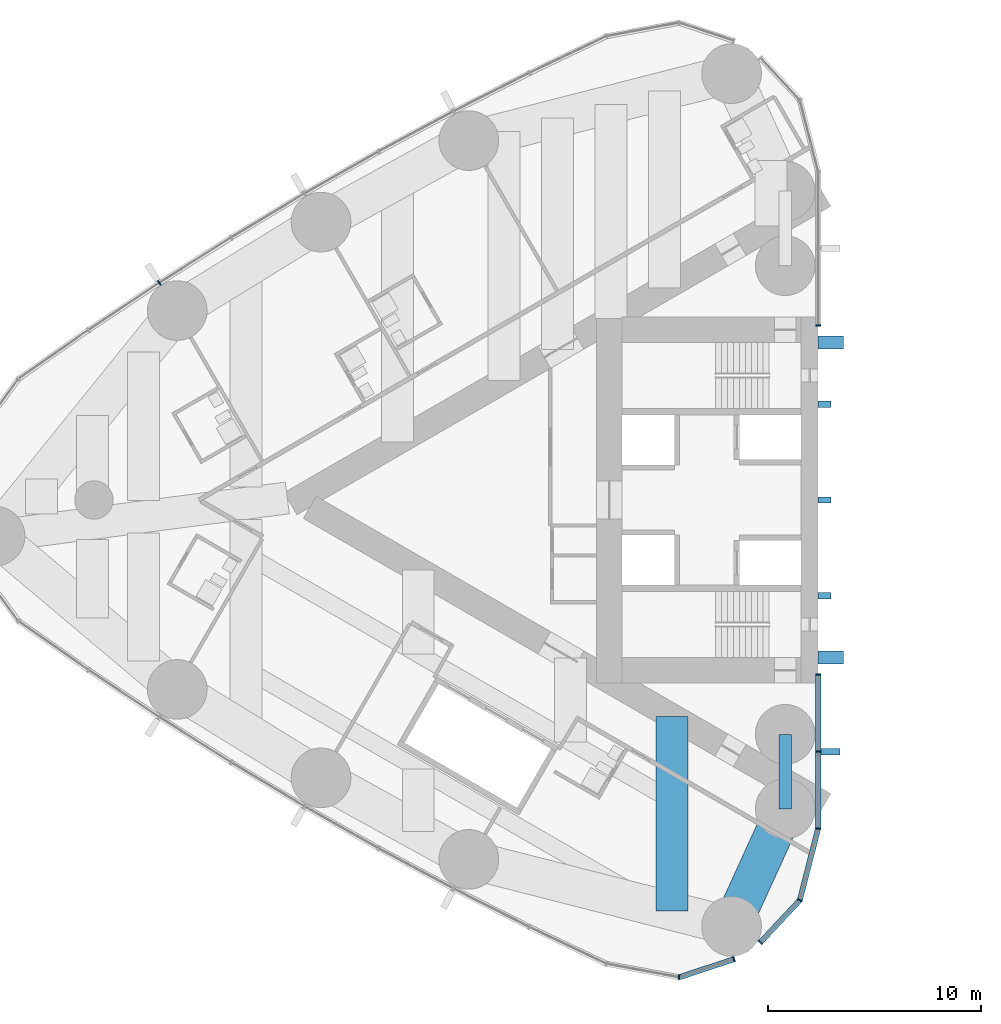
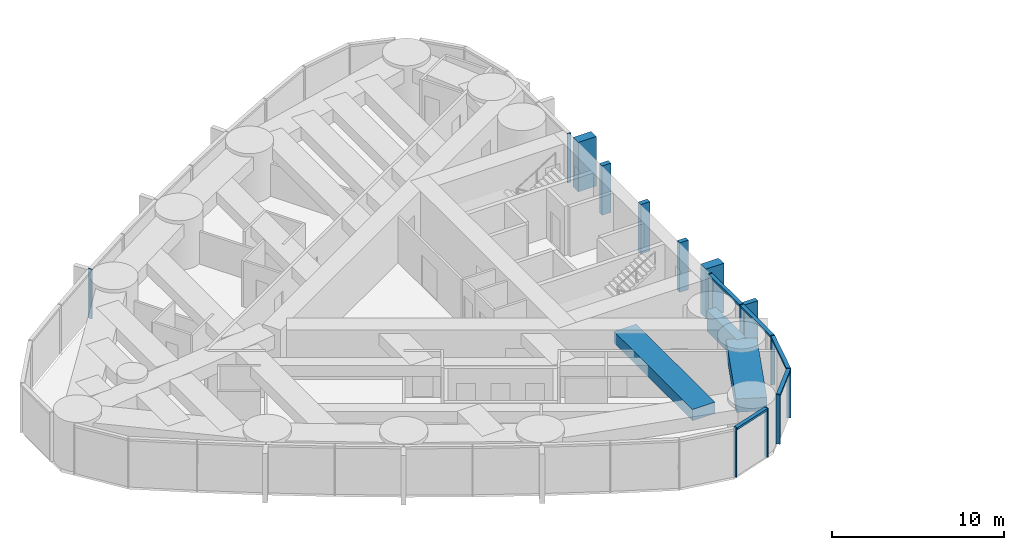
# One storey, part 4 of 19: 20 members, 3 beams, 4 elements without a shape of their own.
"""IFC4 building model written with IfcOpenShell, lengths in metres."""

from ifc_helpers import new_model, si_unit, direction, frame, origin, origin_2d, place, context, subcontext, project, spatial, rectangle, hollow_rectangle, extrude, material, material_profile, profile_set, type_object, element, aggregate, save


model = new_model("IFC4")

# Units and contexts
model_context = context("Model", 3, precision=1e-05, world=origin(), true_north=direction((0.0, 1.0)))
body_context = subcontext(model_context, "Body", "Model", "MODEL_VIEW")
ifc_project = project(units=[si_unit("LENGTHUNIT", "METRE"), si_unit("AREAUNIT", "SQUARE_METRE"), si_unit("VOLUMEUNIT", "CUBIC_METRE"), si_unit("PLANEANGLEUNIT", "RADIAN"), si_unit("MASSUNIT", "GRAM", prefix="KILO")], contexts=[model_context])

# Site, building, storey
site_placement = place(None, origin())
site = spatial("IfcSite", under=ifc_project, at=site_placement, CompositionType="ELEMENT")
building_placement = place(site_placement, origin())
building = spatial("IfcBuilding", under=site, at=building_placement, Name="Lancet Gate Hotel", CompositionType="ELEMENT")
storey_placement = place(building_placement, frame((0.0, 0.0, 177.300048828125)))
storey = spatial("IfcBuildingStorey", under=building, at=storey_placement, Name="L47", CompositionType="ELEMENT", Elevation=177.300048828125)

# Curtain wall, member
ifc_material_1 = material(Name="Aluminium curtain wall", Category="aluminium")
curtain_wall_type = type_object("IfcCurtainWallType", Name="Tower unitised curtain wall", PredefinedType="USERDEFINED", material=ifc_material_1)
curtain_wall_1_placement = place(storey_placement, origin())
curtain_wall_1 = element("IfcCurtainWall", 1, at=curtain_wall_1_placement, inside=storey, type_object=curtain_wall_type, Name="T1 L47 curtain wall 1", ObjectType="UNITISED CURTAIN WALL", PredefinedType="USERDEFINED")
ifc_material_2 = material(Name="Aluminium mullion", Category="aluminium")
ifc_material_profile_1 = material_profile(ifc_material_2, rectangle(XDim=0.06494140625, YDim=0.25, at=origin_2d()), Name="MULLION 65x250")
ifc_profile_set_1 = profile_set([ifc_material_profile_1], Name="Aluminium mullion")
member_type_1 = type_object("IfcMemberType", Name="Aluminium mullion 65x250", PredefinedType="MULLION", material=ifc_profile_set_1)
member_1_placement = place(storey_placement, frame((-27.5, 8.199951171875, 0.0), z_axis=(0.0, 0.0, 1.0), x_axis=(0.0, 1.0, 0.0)))
member_1 = element("IfcMember", 2, at=member_1_placement, type_object=member_type_1, Name="T1 L47 curtain wall 1 mullion 1", PredefinedType="MULLION", context=body_context, shape_type="SweptSolid", body=[
    extrude(rectangle(XDim=0.06494140625, YDim=0.25, at=origin_2d()), origin(), (0.0, 0.0, 1.0), 3.5),
])
aggregate(curtain_wall_1, [member_1])

curtain_wall_2_placement = place(storey_placement, origin())
curtain_wall_2 = element("IfcCurtainWall", 3, at=curtain_wall_2_placement, inside=storey, type_object=curtain_wall_type, Name="T1 L47 curtain wall 2", ObjectType="UNITISED CURTAIN WALL", PredefinedType="USERDEFINED")
member_2_placement = place(storey_placement, frame((-58.43212890625, 10.194091796875, 0.0), z_axis=(0.0, 0.0, 1.0), x_axis=(-0.839331119324, -0.54362052218, 0.0)))
member_2 = element("IfcMember", 4, at=member_2_placement, type_object=member_type_1, Name="T1 L47 curtain wall 2 mullion 9", PredefinedType="MULLION", context=body_context, shape_type="SweptSolid", body=[
    extrude(rectangle(XDim=0.06494140625, YDim=0.25, at=origin_2d()), origin(), (0.0, 0.0, 1.0), 3.5),
])
aggregate(curtain_wall_2, [member_2])

# Curtain wall, members
curtain_wall_3_placement = place(storey_placement, origin())
curtain_wall_3 = element("IfcCurtainWall", 5, at=curtain_wall_3_placement, inside=storey, type_object=curtain_wall_type, Name="T1 L47 curtain wall 3", ObjectType="UNITISED CURTAIN WALL", PredefinedType="USERDEFINED")
member_3_placement = place(storey_placement, frame((-34.02783203125, -22.407470703125, 0.0), z_axis=(0.0, 0.0, 1.0), x_axis=(0.999350473622, 0.036036521361, 0.0)))
member_3 = element("IfcMember", 6, at=member_3_placement, type_object=member_type_1, Name="T1 L47 curtain wall 3 mullion 11", PredefinedType="MULLION", context=body_context, shape_type="SweptSolid", body=[
    extrude(rectangle(XDim=0.06494140625, YDim=0.25, at=origin_2d()), origin(), (0.0, 0.0, 1.0), 3.5),
])
member_4_placement = place(storey_placement, frame((-31.45263671875, -21.5595703125, 0.0), z_axis=(0.0, 0.0, 1.0), x_axis=(0.949848055084, 0.312711803827, 0.0)))
member_4 = element("IfcMember", 7, at=member_4_placement, type_object=member_type_1, Name="T1 L47 curtain wall 3 mullion 12", PredefinedType="MULLION", context=body_context, shape_type="SweptSolid", body=[
    extrude(rectangle(XDim=0.06494140625, YDim=0.25, at=origin_2d()), origin(), (0.0, 0.0, 1.0), 3.5),
])

curtain_wall_4_placement = place(storey_placement, origin())
curtain_wall_4 = element("IfcCurtainWall", 8, at=curtain_wall_4_placement, inside=storey, type_object=curtain_wall_type, Name="T1 L47 curtain wall 4", ObjectType="UNITISED CURTAIN WALL", PredefinedType="USERDEFINED")
member_5_placement = place(storey_placement, frame((-30.210693359375, -20.765625, 0.0), z_axis=(0.0, 0.0, 1.0), x_axis=(0.682844962172, 0.730563315282, 0.0)))
member_5 = element("IfcMember", 9, at=member_5_placement, type_object=member_type_1, Name="T1 L47 curtain wall 4 mullion 1", PredefinedType="MULLION", context=body_context, shape_type="SweptSolid", body=[
    extrude(rectangle(XDim=0.06494140625, YDim=0.25, at=origin_2d()), origin(), (0.0, 0.0, 1.0), 3.5),
])
member_6_placement = place(storey_placement, frame((-28.360595703125, -18.7861328125, 0.0), z_axis=(0.0, 0.0, 1.0), x_axis=(0.452507601198, 0.891760545695, 0.0)))
member_6 = element("IfcMember", 10, at=member_6_placement, type_object=member_type_1, Name="T1 L47 curtain wall 4 mullion 2", PredefinedType="MULLION", context=body_context, shape_type="SweptSolid", body=[
    extrude(rectangle(XDim=0.06494140625, YDim=0.25, at=origin_2d()), origin(), (0.0, 0.0, 1.0), 3.5),
])
member_7_placement = place(storey_placement, frame((-27.5, -15.42333984375, 0.0), z_axis=(0.0, 0.0, 1.0), x_axis=(0.122467472845, 0.992472527627, 0.0)))
member_7 = element("IfcMember", 11, at=member_7_placement, type_object=member_type_1, Name="T1 L47 curtain wall 4 mullion 3", PredefinedType="MULLION", context=body_context, shape_type="SweptSolid", body=[
    extrude(rectangle(XDim=0.06494140625, YDim=0.25, at=origin_2d()), origin(), (0.0, 0.0, 1.0), 3.5),
])
member_8_placement = place(storey_placement, frame((-27.5, -11.811767578125, 0.0), z_axis=(0.0, 0.0, 1.0), x_axis=(0.0, 1.0, 0.0)))
member_8 = element("IfcMember", 12, at=member_8_placement, type_object=member_type_1, Name="T1 L47 curtain wall 4 mullion 4", PredefinedType="MULLION", context=body_context, shape_type="SweptSolid", body=[
    extrude(rectangle(XDim=0.06494140625, YDim=0.25, at=origin_2d()), origin(), (0.0, 0.0, 1.0), 3.5),
])
member_9_placement = place(storey_placement, frame((-27.5, -8.199951171875, 0.0), z_axis=(0.0, 0.0, 1.0), x_axis=(0.0, 1.0, 0.0)))
member_9 = element("IfcMember", 13, at=member_9_placement, type_object=member_type_1, Name="T1 L47 curtain wall 4 mullion 5", PredefinedType="MULLION", context=body_context, shape_type="SweptSolid", body=[
    extrude(rectangle(XDim=0.06494140625, YDim=0.25, at=origin_2d()), origin(), (0.0, 0.0, 1.0), 3.5),
])

# Member
ifc_material_3 = material(Name="Aluminium transom", Category="aluminium")
ifc_material_profile_2 = material_profile(ifc_material_3, rectangle(XDim=0.25, YDim=0.14990234375, at=origin_2d()), Name="TRANSOM 250x150")
ifc_profile_set_2 = profile_set([ifc_material_profile_2], Name="Aluminium transom")
member_type_2 = type_object("IfcMemberType", Name="Aluminium transom 250x150", PredefinedType="USERDEFINED", material=ifc_profile_set_2)
member_10_placement = place(storey_placement, frame((-33.9970703125, -22.397216796875, 3.425048828125), z_axis=(0.949857661259, 0.312682623993, 0.0), x_axis=(-0.312682623993, 0.949857661259, 0.0)))
member_10 = element("IfcMember", 14, at=member_10_placement, type_object=member_type_2, Name="T1 L47 curtain wall 3 transom 11", ObjectType="TRANSOM", PredefinedType="USERDEFINED", context=body_context, shape_type="SweptSolid", body=[
    extrude(rectangle(XDim=0.25, YDim=0.14990234375, at=origin_2d()), origin(), (0.0, 0.0, 1.0), 2.64599609375),
])

aggregate(curtain_wall_3, [member_3, member_4, member_10])

member_11_placement = place(storey_placement, frame((-30.188720703125, -20.741943359375, 3.425048828125), z_axis=(0.682841037959, 0.730566983157, 0.0), x_axis=(-0.730566983157, 0.682841037959, 0.0)))
member_11 = element("IfcMember", 15, at=member_11_placement, type_object=member_type_2, Name="T1 L47 curtain wall 4 transom 1", ObjectType="TRANSOM", PredefinedType="USERDEFINED", context=body_context, shape_type="SweptSolid", body=[
    extrude(rectangle(XDim=0.25, YDim=0.14990234375, at=origin_2d()), origin(), (0.0, 0.0, 1.0), 2.644775390625),
])

member_12_placement = place(storey_placement, frame((-28.3525390625, -18.754638671875, 3.425048828125), z_axis=(0.247928683912, 0.968778286139, 0.0), x_axis=(-0.968778286139, 0.247928683912, 0.0)))
member_12 = element("IfcMember", 16, at=member_12_placement, type_object=member_type_2, Name="T1 L47 curtain wall 4 transom 2", ObjectType="TRANSOM", PredefinedType="USERDEFINED", context=body_context, shape_type="SweptSolid", body=[
    extrude(rectangle(XDim=0.25, YDim=0.14990234375, at=origin_2d()), origin(), (0.0, 0.0, 1.0), 3.40625),
])

member_13_placement = place(storey_placement, frame((-27.5, -15.390869140625, 3.425048828125), z_axis=(0.0, 1.0, 0.0), x_axis=(-1.0, 0.0, 0.0)))
member_13 = element("IfcMember", 17, at=member_13_placement, type_object=member_type_2, Name="T1 L47 curtain wall 4 transom 3", ObjectType="TRANSOM", PredefinedType="USERDEFINED", context=body_context, shape_type="SweptSolid", body=[
    extrude(rectangle(XDim=0.25, YDim=0.14990234375, at=origin_2d()), origin(), (0.0, 0.0, 1.0), 3.546630859375),
])

member_14_placement = place(storey_placement, frame((-27.5, -11.779296875, 3.425048828125), z_axis=(0.0, 1.0, 0.0), x_axis=(-1.0, 0.0, 0.0)))
member_14 = element("IfcMember", 18, at=member_14_placement, type_object=member_type_2, Name="T1 L47 curtain wall 4 transom 4", ObjectType="TRANSOM", PredefinedType="USERDEFINED", context=body_context, shape_type="SweptSolid", body=[
    extrude(rectangle(XDim=0.25, YDim=0.14990234375, at=origin_2d()), origin(), (0.0, 0.0, 1.0), 3.546875),
])

# Beam
ifc_material_4 = material(Name="Concrete C50/60", Category="concrete")
ifc_material_profile_3 = material_profile(ifc_material_4, rectangle(XDim=1.800048828125, YDim=0.949951171875, at=origin_2d()), Name="RC 1800x950")
ifc_profile_set_3 = profile_set([ifc_material_profile_3], Name="Concrete C50/60")
beam_type_1 = type_object("IfcBeamType", Name="Edge beam RC 1800x950", PredefinedType="SPANDREL", material=ifc_profile_set_3)
beam_1_placement = place(storey_placement, frame((-29.050048828125, -14.5, 2.77490234375), z_axis=(-0.414919206993, -0.909858259109, 0.0), x_axis=(0.909858259109, -0.414919206993, 0.0)))
element("IfcBeam", 19, at=beam_1_placement, inside=storey, type_object=beam_type_1, Name="T1 edge beam EB1 L47", PredefinedType="SPANDREL", context=body_context, shape_type="SweptSolid", body=[
    extrude(rectangle(XDim=1.800048828125, YDim=0.949951171875, at=origin_2d()), origin(), (0.0, 0.0, 1.0), 6.062255859375),
])

# Members
ifc_material_5 = material(Name="Concrete C60/75", Category="concrete")
ifc_material_profile_4 = material_profile(ifc_material_5, rectangle(XDim=0.60009765625, YDim=1.199951171875, at=origin_2d()), Name="FIN 600x1200")
ifc_profile_set_4 = profile_set([ifc_material_profile_4], Name="Concrete C60/75")
member_type_3 = type_object("IfcMemberType", Name="Exposed concrete buttress pilaster 600x1200", PredefinedType="USERDEFINED", material=ifc_profile_set_4)
for number, where, z_axis, x_axis, name in (
    (20, (-26.909912109375, 7.39990234375, 0.0), (0.0, 0.0, 1.0), (0.0, 1.0, 0.0), "T1 buttress pilaster S L47"),
    (21, (-26.909912109375, -7.39990234375, 0.0), (0.0, 0.0, 1.0), (0.0, 1.0, 0.0), "T1 buttress pilaster N L47"),
):
    element("IfcMember", number, at=place(storey_placement, frame(where, z_axis=z_axis, x_axis=x_axis)), inside=storey, type_object=member_type_3, Name=name, ObjectType="FIN", PredefinedType="USERDEFINED", context=body_context, shape_type="SweptSolid", body=[
        extrude(rectangle(XDim=0.60009765625, YDim=1.199951171875, at=origin_2d()), origin(), (0.0, 0.0, 1.0), 3.5),
    ])

# Member
ifc_material_6 = material(Name="Precast concrete C50/60", Category="concrete")
ifc_material_profile_5 = material_profile(ifc_material_6, rectangle(XDim=0.300048828125, YDim=0.89990234375, at=origin_2d()), Name="FIN 300x900")
ifc_profile_set_5 = profile_set([ifc_material_profile_5], Name="Precast concrete C50/60")
member_type_4 = type_object("IfcMemberType", Name="Exposed concrete fin 300x900", PredefinedType="USERDEFINED", material=ifc_profile_set_5)
member_15_placement = place(storey_placement, frame((-26.925048828125, -11.811767578125, 0.0), z_axis=(0.0, 0.0, 1.0), x_axis=(0.0, 1.0, 0.0)))
member_15 = element("IfcMember", 22, at=member_15_placement, type_object=member_type_4, Name="T1 L47 curtain wall 4 fin 4", ObjectType="FIN", PredefinedType="USERDEFINED", context=body_context, shape_type="SweptSolid", body=[
    extrude(rectangle(XDim=0.300048828125, YDim=0.89990234375, at=origin_2d()), origin(), (0.0, 0.0, 1.0), 3.5),
])

aggregate(curtain_wall_4, [member_5, member_6, member_7, member_8, member_15, member_9, member_11, member_12, member_13, member_14])

# Members
ifc_material_7 = material(Name="Concrete C60/75", Category="concrete")
ifc_material_profile_6 = material_profile(ifc_material_7, rectangle(XDim=0.300048828125, YDim=0.60009765625, at=origin_2d()), Name="FIN 300x600")
ifc_profile_set_6 = profile_set([ifc_material_profile_6], Name="Concrete C60/75")
member_type_5 = type_object("IfcMemberType", Name="Exposed concrete rib 300x600", PredefinedType="USERDEFINED", material=ifc_profile_set_6)
for number, where, z_axis, x_axis, name in (
    (23, (-27.2099609375, 4.5, 0.0), (0.0, 0.0, 1.0), (0.0, 1.0, 0.0), "T1 core rib 1 L47"),
    (24, (-27.2099609375, 0.0, 0.0), (0.0, 0.0, 1.0), (0.0, 1.0, 0.0), "T1 core rib 2 L47"),
    (25, (-27.2099609375, -4.5, 0.0), (0.0, 0.0, 1.0), (0.0, 1.0, 0.0), "T1 core rib 3 L47"),
):
    element("IfcMember", number, at=place(storey_placement, frame(where, z_axis=z_axis, x_axis=x_axis)), inside=storey, type_object=member_type_5, Name=name, ObjectType="FIN", PredefinedType="USERDEFINED", context=body_context, shape_type="SweptSolid", body=[
        extrude(rectangle(XDim=0.300048828125, YDim=0.60009765625, at=origin_2d()), origin(), (0.0, 0.0, 1.0), 3.5),
    ])

# Beams
ifc_material_8 = material(Name="Concrete C50/60", Category="concrete")
ifc_material_profile_7 = material_profile(ifc_material_8, rectangle(XDim=1.5, YDim=0.800048828125, at=origin_2d()), Name="RC 1500x800")
ifc_profile_set_7 = profile_set([ifc_material_profile_7], Name="Concrete C50/60")
beam_type_2 = type_object("IfcBeamType", Name="Floor beam RC 1500x800", PredefinedType="BEAM", material=ifc_profile_set_7)
beam_2_placement = place(storey_placement, frame((-34.353515625, -10.169921875, 2.849853515625), z_axis=(0.0, -1.0, 0.0), x_axis=(1.0, 0.0, 0.0)))
element("IfcBeam", 26, at=beam_2_placement, inside=storey, type_object=beam_type_2, Name="T1 floor beam F02N L47", PredefinedType="BEAM", context=body_context, shape_type="SweptSolid", body=[
    extrude(rectangle(XDim=1.5, YDim=0.800048828125, at=origin_2d()), origin(), (0.0, 0.0, 1.0), 9.13525390625),
])
ifc_material_9 = material(Name="Steel S460QL", Category="steel")
ifc_material_profile_8 = material_profile(ifc_material_9, hollow_rectangle(XDim=0.60009765625, YDim=1.5, WallThickness=0.050048828125, at=origin_2d()), Name="BOX 1500x600x50")
ifc_profile_set_8 = profile_set([ifc_material_profile_8], Name="Steel S460QL")
beam_type_3 = type_object("IfcBeamType", Name="Inner-face link beam BOX 1500x600x50", PredefinedType="BEAM", material=ifc_profile_set_8)
beam_3_placement = place(storey_placement, frame((-29.050048828125, -11.0, 2.5), z_axis=(0.0, -1.0, 0.0), x_axis=(1.0, 0.0, 0.0)))
element("IfcBeam", 27, at=beam_3_placement, inside=storey, type_object=beam_type_3, Name="T1 inner-face link beam LK1 L47", PredefinedType="BEAM", context=body_context, shape_type="SweptSolid", body=[
    extrude(hollow_rectangle(XDim=0.60009765625, YDim=1.5, WallThickness=0.050048828125, at=origin_2d()), origin(), (0.0, 0.0, 1.0), 3.5),
])

save(model, "model.ifc")
